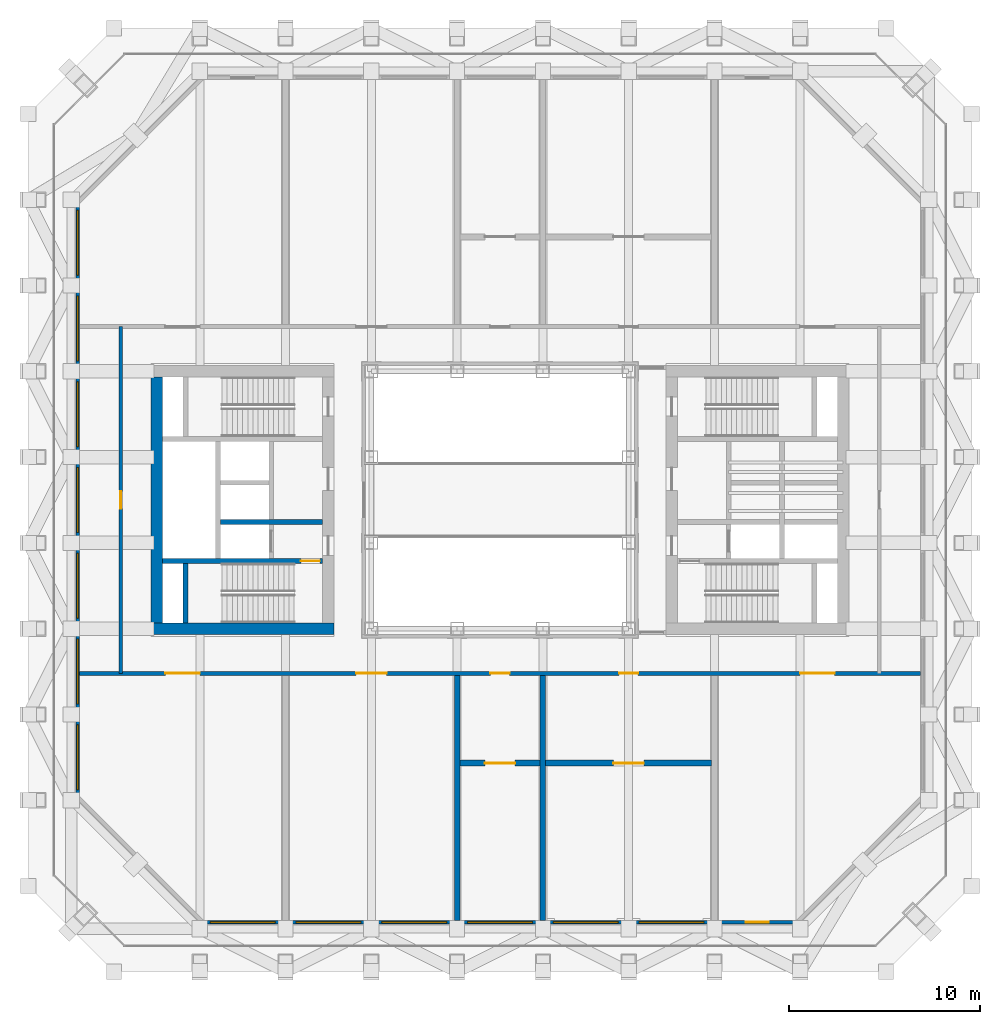
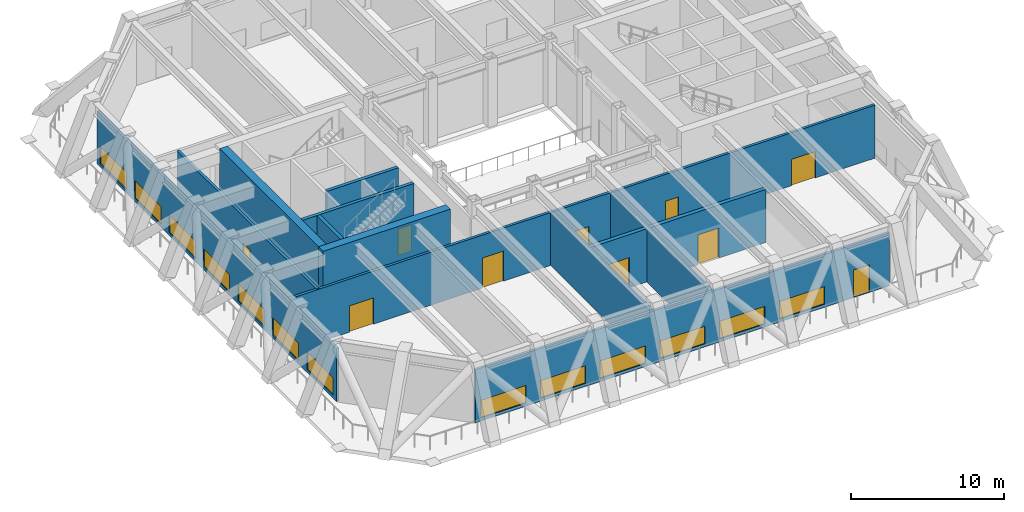
# One storey, part 3 of 9: 13 walls, 13 windows, 10 doors, 23 openings.
"""IFC4 building model written with IfcOpenShell, lengths in metres."""

from ifc_helpers import new_model, si_unit, direction, frame, frame_2d, origin, place, context, subcontext, project, spatial, rectangle, extrude, material, layer, layer_set, type_object, element, fill, save


model = new_model("IFC4")

# Units and contexts
model_context = context("Model", 3, precision=1e-05, world=origin(), true_north=direction((0.0, 1.0)))
body_context = subcontext(model_context, "Body", "Model", "MODEL_VIEW")
ifc_project = project(units=[si_unit("LENGTHUNIT", "METRE"), si_unit("AREAUNIT", "SQUARE_METRE"), si_unit("VOLUMEUNIT", "CUBIC_METRE"), si_unit("PLANEANGLEUNIT", "RADIAN"), si_unit("MASSUNIT", "GRAM", prefix="KILO")], contexts=[model_context])

# Site, building, storey
site_placement = place(None, origin())
site = spatial("IfcSite", under=ifc_project, at=site_placement, CompositionType="ELEMENT")
building_placement = place(site_placement, origin())
building = spatial("IfcBuilding", under=site, at=building_placement, Name="Msasa Ring Tower", CompositionType="ELEMENT")
storey_placement = place(building_placement, frame((0.0, 0.0, 107.0)))
storey = spatial("IfcBuildingStorey", under=building, at=storey_placement, Name="L28", CompositionType="ELEMENT", Elevation=107.0)

# Walls
ifc_material_1 = material(Name="Concrete C60/75", Category="concrete")
ifc_layer_1 = layer(ifc_material_1, 0.60009765625)
ifc_layer_set_1 = layer_set([ifc_layer_1], Name="CW2 CORE WALL 600")
wall_type_1 = type_object("IfcWallType", Name="CW2 CORE WALL 600", PredefinedType="SHEAR", material=ifc_layer_set_1)
wall_1_placement = place(storey_placement, frame((-8.699951171875, -6.75, 0.0), z_axis=(0.0, 0.0, 1.0), x_axis=(-1.0, 0.0, 0.0)))
element("IfcWall", 1, at=wall_1_placement, inside=storey, type_object=wall_type_1, Name="W core wall S L28", PredefinedType="SHEAR", context=body_context, shape_type="SweptSolid", body=[
    extrude(rectangle(XDim=9.60009765625, YDim=0.60009765625, at=frame_2d((4.800048828125, 0.0))), origin(), (0.0, 0.0, 1.0), 5.39990234375),
])
wall_2_placement = place(storey_placement, frame((-18.0, -6.449951171875, 0.0), z_axis=(0.0, 0.0, 1.0), x_axis=(0.0, 1.0, 0.0)))
element("IfcWall", 2, at=wall_2_placement, inside=storey, type_object=wall_type_1, Name="W core wall E L28", PredefinedType="SHEAR", context=body_context, shape_type="SweptSolid", body=[
    extrude(rectangle(XDim=12.89990234375, YDim=0.60009765625, at=frame_2d((6.449951171875, 0.0))), origin(), (0.0, 0.0, 1.0), 5.39990234375),
])

# Wall, opening, door
ifc_material_2 = material(Name="Concrete C60/75", Category="concrete")
ifc_layer_2 = layer(ifc_material_2, 0.25)
ifc_layer_set_2 = layer_set([ifc_layer_2], Name="CW4 CORE INNER WALL 250")
wall_type_2 = type_object("IfcWallType", Name="CW4 CORE INNER WALL 250", PredefinedType="SHEAR", material=ifc_layer_set_2)
wall_3_placement = place(storey_placement, frame((-9.300048828125, -3.199951171875, 0.0), z_axis=(0.0, 0.0, 1.0), x_axis=(-1.0, 0.0, 0.0)))
wall_3 = element("IfcWall", 3, at=wall_3_placement, inside=storey, type_object=wall_type_2, Name="W core wall STAIRA L28", PredefinedType="SHEAR", context=body_context, shape_type="SweptSolid", body=[
    extrude(rectangle(XDim=8.39990234375, YDim=0.25, at=frame_2d((4.199951171875, 0.0))), origin(), (0.0, 0.0, 1.0), 5.39990234375),
])
opening_1_placement = place(wall_3_placement, frame((0.14990234375, 0.0, 0.0)))
opening_1 = element("IfcOpeningElement", 4, at=opening_1_placement, cuts=wall_3, Name="Opening L28-021", PredefinedType="OPENING", context=body_context, shape_type="SweptSolid", body=[
    extrude(rectangle(XDim=1.0, YDim=2.10009765625, at=frame_2d((0.5, 1.050048828125))), frame((0.0, 0.135009765625, 0.0), z_axis=(0.0, -1.0, 0.0), x_axis=(1.0, 0.0, 0.0)), (0.0, 0.0, 1.0), 0.27001953125),
])
ifc_material_3 = material(Name="Timber door leaf in a steel frame", Category="steel")
door_type_1 = type_object("IfcDoorType", Name="D6 STAIR DOOR 1000x2100", OperationType="SINGLE_SWING_LEFT", PredefinedType="DOOR", material=ifc_material_3)
door_1_placement = place(opening_1_placement, origin())
door_1 = element("IfcDoor", 5, at=door_1_placement, inside=storey, type_object=door_type_1, Name="Door L28-WSTA", OperationType="SINGLE_SWING_LEFT", OverallHeight=2.10009765625, OverallWidth=1.0, PredefinedType="DOOR", context=body_context, shape_type="SweptSolid", body=[
    extrude(rectangle(XDim=1.0, YDim=2.10009765625, at=frame_2d((0.5, 1.050048828125))), frame((0.0, 0.02490234375, 0.0), z_axis=(0.0, -1.0, 0.0), x_axis=(1.0, 0.0, 0.0)), (0.0, 0.0, 1.0), 0.050048828125),
])
fill(opening_1, door_1)

# Walls
wall_4_placement = place(storey_placement, frame((-16.5, -6.449951171875, 0.0), z_axis=(0.0, 0.0, 1.0), x_axis=(0.0, 1.0, 0.0)))
element("IfcWall", 6, at=wall_4_placement, inside=storey, type_object=wall_type_2, Name="W core wall RISERA L28", PredefinedType="SHEAR", context=body_context, shape_type="SweptSolid", body=[
    extrude(rectangle(XDim=3.125, YDim=0.25, at=frame_2d((1.5625, 0.0))), origin(), (0.0, 0.0, 1.0), 5.39990234375),
])
wall_5_placement = place(storey_placement, frame((-9.300048828125, -1.14990234375, 0.0), z_axis=(0.0, 0.0, 1.0), x_axis=(-1.0, 0.0, 0.0)))
element("IfcWall", 7, at=wall_5_placement, inside=storey, type_object=wall_type_2, Name="W core wall FFL L28", PredefinedType="SHEAR", context=body_context, shape_type="SweptSolid", body=[
    extrude(rectangle(XDim=5.375, YDim=0.25, at=frame_2d((2.6875, 0.0))), origin(), (0.0, 0.0, 1.0), 5.39990234375),
])

# Wall, openings, door, windows
ifc_material_4 = material(Name="Terracotta rainscreen on blockwork", Category="masonry")
ifc_layer_3 = layer(ifc_material_4, 0.199951171875)
ifc_layer_set_3 = layer_set([ifc_layer_3], Name="FW3 PLANT FLOOR WALL 200")
wall_type_3 = type_object("IfcWallType", Name="FW3 PLANT FLOOR WALL 200", PredefinedType="SOLIDWALL", material=ifc_layer_set_3)
wall_6_placement = place(storey_placement, frame((-15.60498046875, -22.14990234375, 0.0), z_axis=(0.0, 0.0, 1.0), x_axis=(1.0, 0.0, 0.0)))
wall_6 = element("IfcWall", 8, at=wall_6_placement, inside=storey, type_object=wall_type_3, Name="Plant floor wall S L28", PredefinedType="SOLIDWALL", context=body_context, shape_type="SweptSolid", body=[
    extrude(rectangle(XDim=31.2099609375, YDim=0.199951171875, at=frame_2d((15.60498046875, 0.0))), origin(), (0.0, 0.0, 1.0), 4.223388671875),
])
opening_2_placement = place(wall_6_placement, frame((0.405029296875, 0.0, 0.25)))
opening_2 = element("IfcOpeningElement", 9, at=opening_2_placement, cuts=wall_6, Name="Opening LV1", PredefinedType="OPENING", context=body_context, shape_type="SweptSolid", body=[
    extrude(rectangle(XDim=3.39990234375, YDim=1.39990234375, at=frame_2d((1.699951171875, 0.699951171875))), frame((0.0, 0.10986328125, 0.0), z_axis=(0.0, -1.0, 0.0), x_axis=(1.0, 0.0, 0.0)), (0.0, 0.0, 1.0), 0.219970703125),
])
opening_3_placement = place(wall_6_placement, frame((4.905029296875, 0.0, 0.25)))
opening_3 = element("IfcOpeningElement", 10, at=opening_3_placement, cuts=wall_6, Name="Opening LV1", PredefinedType="OPENING", context=body_context, shape_type="SweptSolid", body=[
    extrude(rectangle(XDim=3.39990234375, YDim=1.39990234375, at=frame_2d((1.699951171875, 0.699951171875))), frame((0.0, 0.10986328125, 0.0), z_axis=(0.0, -1.0, 0.0), x_axis=(1.0, 0.0, 0.0)), (0.0, 0.0, 1.0), 0.219970703125),
])
opening_4_placement = place(wall_6_placement, frame((9.405029296875, 0.0, 0.25)))
opening_4 = element("IfcOpeningElement", 11, at=opening_4_placement, cuts=wall_6, Name="Opening LV1", PredefinedType="OPENING", context=body_context, shape_type="SweptSolid", body=[
    extrude(rectangle(XDim=3.39990234375, YDim=1.39990234375, at=frame_2d((1.699951171875, 0.699951171875))), frame((0.0, 0.10986328125, 0.0), z_axis=(0.0, -1.0, 0.0), x_axis=(1.0, 0.0, 0.0)), (0.0, 0.0, 1.0), 0.219970703125),
])
opening_5_placement = place(wall_6_placement, frame((13.905029296875, 0.0, 0.25)))
opening_5 = element("IfcOpeningElement", 12, at=opening_5_placement, cuts=wall_6, Name="Opening LV1", PredefinedType="OPENING", context=body_context, shape_type="SweptSolid", body=[
    extrude(rectangle(XDim=3.39990234375, YDim=1.39990234375, at=frame_2d((1.699951171875, 0.699951171875))), frame((0.0, 0.10986328125, 0.0), z_axis=(0.0, -1.0, 0.0), x_axis=(1.0, 0.0, 0.0)), (0.0, 0.0, 1.0), 0.219970703125),
])
opening_6_placement = place(wall_6_placement, frame((18.405029296875, 0.0, 0.25)))
opening_6 = element("IfcOpeningElement", 13, at=opening_6_placement, cuts=wall_6, Name="Opening LV1", PredefinedType="OPENING", context=body_context, shape_type="SweptSolid", body=[
    extrude(rectangle(XDim=3.39990234375, YDim=1.39990234375, at=frame_2d((1.699951171875, 0.699951171875))), frame((0.0, 0.10986328125, 0.0), z_axis=(0.0, -1.0, 0.0), x_axis=(1.0, 0.0, 0.0)), (0.0, 0.0, 1.0), 0.219970703125),
])
opening_7_placement = place(wall_6_placement, frame((22.905029296875, 0.0, 0.25)))
opening_7 = element("IfcOpeningElement", 14, at=opening_7_placement, cuts=wall_6, Name="Opening LV1", PredefinedType="OPENING", context=body_context, shape_type="SweptSolid", body=[
    extrude(rectangle(XDim=3.39990234375, YDim=1.39990234375, at=frame_2d((1.699951171875, 0.699951171875))), frame((0.0, 0.10986328125, 0.0), z_axis=(0.0, -1.0, 0.0), x_axis=(1.0, 0.0, 0.0)), (0.0, 0.0, 1.0), 0.219970703125),
])
opening_8_placement = place(wall_6_placement, frame((28.5048828125, 0.0, 0.0)))
opening_8 = element("IfcOpeningElement", 15, at=opening_8_placement, cuts=wall_6, Name="Opening L28-031", PredefinedType="OPENING", context=body_context, shape_type="SweptSolid", body=[
    extrude(rectangle(XDim=1.199951171875, YDim=2.199951171875, at=frame_2d((0.60009765625, 1.10009765625))), frame((0.0, 0.10986328125, 0.0), z_axis=(0.0, -1.0, 0.0), x_axis=(1.0, 0.0, 0.0)), (0.0, 0.0, 1.0), 0.219970703125),
])
ifc_material_5 = material(Name="Aluminium frame with clear glass", Category="aluminium")
door_type_2 = type_object("IfcDoorType", Name="ED2 REFUGE DOOR 1200x2200", OperationType="SINGLE_SWING_LEFT", PredefinedType="DOOR", material=ifc_material_5)
door_2_placement = place(opening_8_placement, origin())
door_2 = element("IfcDoor", 16, at=door_2_placement, inside=storey, type_object=door_type_2, Name="Refuge terrace door S L28", OperationType="SINGLE_SWING_RIGHT", OverallHeight=2.199951171875, OverallWidth=1.199951171875, PredefinedType="DOOR", context=body_context, shape_type="SweptSolid", body=[
    extrude(rectangle(XDim=1.199951171875, YDim=2.199951171875, at=frame_2d((0.60009765625, 1.10009765625))), frame((0.0, 0.02490234375, 0.0), z_axis=(0.0, -1.0, 0.0), x_axis=(1.0, 0.0, 0.0)), (0.0, 0.0, 1.0), 0.050048828125),
])
fill(opening_8, door_2)
ifc_material_6 = material(Name="Aluminium weather louvre", Category="aluminium")
window_type = type_object("IfcWindowType", Name="LV1 PLANT LOUVRE 3400x1400", PartitioningType="SINGLE_PANEL", PredefinedType="USERDEFINED", material=ifc_material_6)
window_1_placement = place(opening_2_placement, origin())
window_1 = element("IfcWindow", 17, at=window_1_placement, inside=storey, type_object=window_type, Name="Plant louvre S L28 00", ObjectType="LOUVRE", OverallHeight=1.39990234375, OverallWidth=3.39990234375, PartitioningType="SINGLE_PANEL", PredefinedType="USERDEFINED", context=body_context, shape_type="SweptSolid", body=[
    extrude(rectangle(XDim=3.39990234375, YDim=1.39990234375, at=frame_2d((1.699951171875, 0.699951171875))), frame((0.0, 0.030029296875, 0.0), z_axis=(0.0, -1.0, 0.0), x_axis=(1.0, 0.0, 0.0)), (0.0, 0.0, 1.0), 0.06005859375),
])
fill(opening_2, window_1)
window_2_placement = place(opening_3_placement, origin())
window_2 = element("IfcWindow", 18, at=window_2_placement, inside=storey, type_object=window_type, Name="Plant louvre S L28 01", ObjectType="LOUVRE", OverallHeight=1.39990234375, OverallWidth=3.39990234375, PartitioningType="SINGLE_PANEL", PredefinedType="USERDEFINED", context=body_context, shape_type="SweptSolid", body=[
    extrude(rectangle(XDim=3.39990234375, YDim=1.39990234375, at=frame_2d((1.699951171875, 0.699951171875))), frame((0.0, 0.030029296875, 0.0), z_axis=(0.0, -1.0, 0.0), x_axis=(1.0, 0.0, 0.0)), (0.0, 0.0, 1.0), 0.06005859375),
])
fill(opening_3, window_2)
window_3_placement = place(opening_4_placement, origin())
window_3 = element("IfcWindow", 19, at=window_3_placement, inside=storey, type_object=window_type, Name="Plant louvre S L28 02", ObjectType="LOUVRE", OverallHeight=1.39990234375, OverallWidth=3.39990234375, PartitioningType="SINGLE_PANEL", PredefinedType="USERDEFINED", context=body_context, shape_type="SweptSolid", body=[
    extrude(rectangle(XDim=3.39990234375, YDim=1.39990234375, at=frame_2d((1.699951171875, 0.699951171875))), frame((0.0, 0.030029296875, 0.0), z_axis=(0.0, -1.0, 0.0), x_axis=(1.0, 0.0, 0.0)), (0.0, 0.0, 1.0), 0.06005859375),
])
fill(opening_4, window_3)
window_4_placement = place(opening_5_placement, origin())
window_4 = element("IfcWindow", 20, at=window_4_placement, inside=storey, type_object=window_type, Name="Plant louvre S L28 03", ObjectType="LOUVRE", OverallHeight=1.39990234375, OverallWidth=3.39990234375, PartitioningType="SINGLE_PANEL", PredefinedType="USERDEFINED", context=body_context, shape_type="SweptSolid", body=[
    extrude(rectangle(XDim=3.39990234375, YDim=1.39990234375, at=frame_2d((1.699951171875, 0.699951171875))), frame((0.0, 0.030029296875, 0.0), z_axis=(0.0, -1.0, 0.0), x_axis=(1.0, 0.0, 0.0)), (0.0, 0.0, 1.0), 0.06005859375),
])
fill(opening_5, window_4)
window_5_placement = place(opening_6_placement, origin())
window_5 = element("IfcWindow", 21, at=window_5_placement, inside=storey, type_object=window_type, Name="Plant louvre S L28 04", ObjectType="LOUVRE", OverallHeight=1.39990234375, OverallWidth=3.39990234375, PartitioningType="SINGLE_PANEL", PredefinedType="USERDEFINED", context=body_context, shape_type="SweptSolid", body=[
    extrude(rectangle(XDim=3.39990234375, YDim=1.39990234375, at=frame_2d((1.699951171875, 0.699951171875))), frame((0.0, 0.030029296875, 0.0), z_axis=(0.0, -1.0, 0.0), x_axis=(1.0, 0.0, 0.0)), (0.0, 0.0, 1.0), 0.06005859375),
])
fill(opening_6, window_5)
window_6_placement = place(opening_7_placement, origin())
window_6 = element("IfcWindow", 22, at=window_6_placement, inside=storey, type_object=window_type, Name="Plant louvre S L28 05", ObjectType="LOUVRE", OverallHeight=1.39990234375, OverallWidth=3.39990234375, PartitioningType="SINGLE_PANEL", PredefinedType="USERDEFINED", context=body_context, shape_type="SweptSolid", body=[
    extrude(rectangle(XDim=3.39990234375, YDim=1.39990234375, at=frame_2d((1.699951171875, 0.699951171875))), frame((0.0, 0.030029296875, 0.0), z_axis=(0.0, -1.0, 0.0), x_axis=(1.0, 0.0, 0.0)), (0.0, 0.0, 1.0), 0.06005859375),
])
fill(opening_7, window_6)

# Wall, openings, windows
wall_7_placement = place(storey_placement, frame((-22.14990234375, -15.60498046875, 0.0), z_axis=(0.0, 0.0, 1.0), x_axis=(0.0, 1.0, 0.0)))
wall_7 = element("IfcWall", 23, at=wall_7_placement, inside=storey, type_object=wall_type_3, Name="Plant floor wall W L28", PredefinedType="SOLIDWALL", context=body_context, shape_type="SweptSolid", body=[
    extrude(rectangle(XDim=31.2099609375, YDim=0.199951171875, at=frame_2d((15.60498046875, 0.0))), origin(), (0.0, 0.0, 1.0), 4.223388671875),
])
opening_9_placement = place(wall_7_placement, frame((0.405029296875, 0.0, 0.25)))
opening_9 = element("IfcOpeningElement", 24, at=opening_9_placement, cuts=wall_7, Name="Opening LV1", PredefinedType="OPENING", context=body_context, shape_type="SweptSolid", body=[
    extrude(rectangle(XDim=3.39990234375, YDim=1.39990234375, at=frame_2d((1.699951171875, 0.699951171875))), frame((0.0, 0.10986328125, 0.0), z_axis=(0.0, -1.0, 0.0), x_axis=(1.0, 0.0, 0.0)), (0.0, 0.0, 1.0), 0.219970703125),
])
opening_10_placement = place(wall_7_placement, frame((4.905029296875, 0.0, 0.25)))
opening_10 = element("IfcOpeningElement", 25, at=opening_10_placement, cuts=wall_7, Name="Opening LV1", PredefinedType="OPENING", context=body_context, shape_type="SweptSolid", body=[
    extrude(rectangle(XDim=3.39990234375, YDim=1.39990234375, at=frame_2d((1.699951171875, 0.699951171875))), frame((0.0, 0.10986328125, 0.0), z_axis=(0.0, -1.0, 0.0), x_axis=(1.0, 0.0, 0.0)), (0.0, 0.0, 1.0), 0.219970703125),
])
opening_11_placement = place(wall_7_placement, frame((9.405029296875, 0.0, 0.25)))
opening_11 = element("IfcOpeningElement", 26, at=opening_11_placement, cuts=wall_7, Name="Opening LV1", PredefinedType="OPENING", context=body_context, shape_type="SweptSolid", body=[
    extrude(rectangle(XDim=3.39990234375, YDim=1.39990234375, at=frame_2d((1.699951171875, 0.699951171875))), frame((0.0, 0.10986328125, 0.0), z_axis=(0.0, -1.0, 0.0), x_axis=(1.0, 0.0, 0.0)), (0.0, 0.0, 1.0), 0.219970703125),
])
opening_12_placement = place(wall_7_placement, frame((13.905029296875, 0.0, 0.25)))
opening_12 = element("IfcOpeningElement", 27, at=opening_12_placement, cuts=wall_7, Name="Opening LV1", PredefinedType="OPENING", context=body_context, shape_type="SweptSolid", body=[
    extrude(rectangle(XDim=3.39990234375, YDim=1.39990234375, at=frame_2d((1.699951171875, 0.699951171875))), frame((0.0, 0.10986328125, 0.0), z_axis=(0.0, -1.0, 0.0), x_axis=(1.0, 0.0, 0.0)), (0.0, 0.0, 1.0), 0.219970703125),
])
opening_13_placement = place(wall_7_placement, frame((18.405029296875, 0.0, 0.25)))
opening_13 = element("IfcOpeningElement", 28, at=opening_13_placement, cuts=wall_7, Name="Opening LV1", PredefinedType="OPENING", context=body_context, shape_type="SweptSolid", body=[
    extrude(rectangle(XDim=3.39990234375, YDim=1.39990234375, at=frame_2d((1.699951171875, 0.699951171875))), frame((0.0, 0.10986328125, 0.0), z_axis=(0.0, -1.0, 0.0), x_axis=(1.0, 0.0, 0.0)), (0.0, 0.0, 1.0), 0.219970703125),
])
opening_14_placement = place(wall_7_placement, frame((22.905029296875, 0.0, 0.25)))
opening_14 = element("IfcOpeningElement", 29, at=opening_14_placement, cuts=wall_7, Name="Opening LV1", PredefinedType="OPENING", context=body_context, shape_type="SweptSolid", body=[
    extrude(rectangle(XDim=3.39990234375, YDim=1.39990234375, at=frame_2d((1.699951171875, 0.699951171875))), frame((0.0, 0.10986328125, 0.0), z_axis=(0.0, -1.0, 0.0), x_axis=(1.0, 0.0, 0.0)), (0.0, 0.0, 1.0), 0.219970703125),
])
opening_15_placement = place(wall_7_placement, frame((27.405029296875, 0.0, 0.25)))
opening_15 = element("IfcOpeningElement", 30, at=opening_15_placement, cuts=wall_7, Name="Opening LV1", PredefinedType="OPENING", context=body_context, shape_type="SweptSolid", body=[
    extrude(rectangle(XDim=3.39990234375, YDim=1.39990234375, at=frame_2d((1.699951171875, 0.699951171875))), frame((0.0, 0.10986328125, 0.0), z_axis=(0.0, -1.0, 0.0), x_axis=(1.0, 0.0, 0.0)), (0.0, 0.0, 1.0), 0.219970703125),
])
window_7_placement = place(opening_9_placement, origin())
window_7 = element("IfcWindow", 31, at=window_7_placement, inside=storey, type_object=window_type, Name="Plant louvre W L28 00", ObjectType="LOUVRE", OverallHeight=1.39990234375, OverallWidth=3.39990234375, PartitioningType="SINGLE_PANEL", PredefinedType="USERDEFINED", context=body_context, shape_type="SweptSolid", body=[
    extrude(rectangle(XDim=3.39990234375, YDim=1.39990234375, at=frame_2d((1.699951171875, 0.699951171875))), frame((0.0, 0.030029296875, 0.0), z_axis=(0.0, -1.0, 0.0), x_axis=(1.0, 0.0, 0.0)), (0.0, 0.0, 1.0), 0.06005859375),
])
fill(opening_9, window_7)
window_8_placement = place(opening_10_placement, origin())
window_8 = element("IfcWindow", 32, at=window_8_placement, inside=storey, type_object=window_type, Name="Plant louvre W L28 01", ObjectType="LOUVRE", OverallHeight=1.39990234375, OverallWidth=3.39990234375, PartitioningType="SINGLE_PANEL", PredefinedType="USERDEFINED", context=body_context, shape_type="SweptSolid", body=[
    extrude(rectangle(XDim=3.39990234375, YDim=1.39990234375, at=frame_2d((1.699951171875, 0.699951171875))), frame((0.0, 0.030029296875, 0.0), z_axis=(0.0, -1.0, 0.0), x_axis=(1.0, 0.0, 0.0)), (0.0, 0.0, 1.0), 0.06005859375),
])
fill(opening_10, window_8)
window_9_placement = place(opening_11_placement, origin())
window_9 = element("IfcWindow", 33, at=window_9_placement, inside=storey, type_object=window_type, Name="Plant louvre W L28 02", ObjectType="LOUVRE", OverallHeight=1.39990234375, OverallWidth=3.39990234375, PartitioningType="SINGLE_PANEL", PredefinedType="USERDEFINED", context=body_context, shape_type="SweptSolid", body=[
    extrude(rectangle(XDim=3.39990234375, YDim=1.39990234375, at=frame_2d((1.699951171875, 0.699951171875))), frame((0.0, 0.030029296875, 0.0), z_axis=(0.0, -1.0, 0.0), x_axis=(1.0, 0.0, 0.0)), (0.0, 0.0, 1.0), 0.06005859375),
])
fill(opening_11, window_9)
window_10_placement = place(opening_12_placement, origin())
window_10 = element("IfcWindow", 34, at=window_10_placement, inside=storey, type_object=window_type, Name="Plant louvre W L28 03", ObjectType="LOUVRE", OverallHeight=1.39990234375, OverallWidth=3.39990234375, PartitioningType="SINGLE_PANEL", PredefinedType="USERDEFINED", context=body_context, shape_type="SweptSolid", body=[
    extrude(rectangle(XDim=3.39990234375, YDim=1.39990234375, at=frame_2d((1.699951171875, 0.699951171875))), frame((0.0, 0.030029296875, 0.0), z_axis=(0.0, -1.0, 0.0), x_axis=(1.0, 0.0, 0.0)), (0.0, 0.0, 1.0), 0.06005859375),
])
fill(opening_12, window_10)
window_11_placement = place(opening_13_placement, origin())
window_11 = element("IfcWindow", 35, at=window_11_placement, inside=storey, type_object=window_type, Name="Plant louvre W L28 04", ObjectType="LOUVRE", OverallHeight=1.39990234375, OverallWidth=3.39990234375, PartitioningType="SINGLE_PANEL", PredefinedType="USERDEFINED", context=body_context, shape_type="SweptSolid", body=[
    extrude(rectangle(XDim=3.39990234375, YDim=1.39990234375, at=frame_2d((1.699951171875, 0.699951171875))), frame((0.0, 0.030029296875, 0.0), z_axis=(0.0, -1.0, 0.0), x_axis=(1.0, 0.0, 0.0)), (0.0, 0.0, 1.0), 0.06005859375),
])
fill(opening_13, window_11)
window_12_placement = place(opening_14_placement, origin())
window_12 = element("IfcWindow", 36, at=window_12_placement, inside=storey, type_object=window_type, Name="Plant louvre W L28 05", ObjectType="LOUVRE", OverallHeight=1.39990234375, OverallWidth=3.39990234375, PartitioningType="SINGLE_PANEL", PredefinedType="USERDEFINED", context=body_context, shape_type="SweptSolid", body=[
    extrude(rectangle(XDim=3.39990234375, YDim=1.39990234375, at=frame_2d((1.699951171875, 0.699951171875))), frame((0.0, 0.030029296875, 0.0), z_axis=(0.0, -1.0, 0.0), x_axis=(1.0, 0.0, 0.0)), (0.0, 0.0, 1.0), 0.06005859375),
])
fill(opening_14, window_12)
window_13_placement = place(opening_15_placement, origin())
window_13 = element("IfcWindow", 37, at=window_13_placement, inside=storey, type_object=window_type, Name="Plant louvre W L28 06", ObjectType="LOUVRE", OverallHeight=1.39990234375, OverallWidth=3.39990234375, PartitioningType="SINGLE_PANEL", PredefinedType="USERDEFINED", context=body_context, shape_type="SweptSolid", body=[
    extrude(rectangle(XDim=3.39990234375, YDim=1.39990234375, at=frame_2d((1.699951171875, 0.699951171875))), frame((0.0, 0.030029296875, 0.0), z_axis=(0.0, -1.0, 0.0), x_axis=(1.0, 0.0, 0.0)), (0.0, 0.0, 1.0), 0.06005859375),
])
fill(opening_15, window_13)

# Wall, openings, doors
ifc_material_7 = material(Name="Concrete blockwork", Category="masonry")
ifc_layer_4 = layer(ifc_material_7, 0.199951171875)
ifc_layer_set_4 = layer_set([ifc_layer_4], Name="PT1 CORRIDOR WALL 200")
wall_type_4 = type_object("IfcWallType", Name="PT1 CORRIDOR WALL 200", PredefinedType="PARTITIONING", material=ifc_layer_set_4)
wall_8_placement = place(storey_placement, frame((-22.050048828125, -9.10009765625, 0.0), z_axis=(0.0, 0.0, 1.0), x_axis=(1.0, 0.0, 0.0)))
wall_8 = element("IfcWall", 38, at=wall_8_placement, inside=storey, type_object=wall_type_4, Name="Corridor wall L28-CORRS0", PredefinedType="PARTITIONING", context=body_context, shape_type="SweptSolid", body=[
    extrude(rectangle(XDim=44.10009765625, YDim=0.199951171875, at=frame_2d((22.050048828125, 0.0))), origin(), (0.0, 0.0, 1.0), 4.22900390625),
])
opening_16_placement = place(wall_8_placement, frame((4.5, 0.0, 0.0)))
opening_16 = element("IfcOpeningElement", 39, at=opening_16_placement, cuts=wall_8, Name="Opening L28-024", PredefinedType="OPENING", context=body_context, shape_type="SweptSolid", body=[
    extrude(rectangle(XDim=1.800048828125, YDim=2.10009765625, at=frame_2d((0.89990234375, 1.050048828125))), frame((0.0, 0.10986328125, 0.0), z_axis=(0.0, -1.0, 0.0), x_axis=(1.0, 0.0, 0.0)), (0.0, 0.0, 1.0), 0.219970703125),
])
opening_17_placement = place(wall_8_placement, frame((14.5, 0.0, 0.0)))
opening_17 = element("IfcOpeningElement", 40, at=opening_17_placement, cuts=wall_8, Name="Opening L28-025", PredefinedType="OPENING", context=body_context, shape_type="SweptSolid", body=[
    extrude(rectangle(XDim=1.60009765625, YDim=2.39990234375, at=frame_2d((0.800048828125, 1.199951171875))), frame((0.0, 0.10986328125, 0.0), z_axis=(0.0, -1.0, 0.0), x_axis=(1.0, 0.0, 0.0)), (0.0, 0.0, 1.0), 0.219970703125),
])
opening_18_placement = place(wall_8_placement, frame((21.550048828125, 0.0, 0.0)))
opening_18 = element("IfcOpeningElement", 41, at=opening_18_placement, cuts=wall_8, Name="Opening L28-026", PredefinedType="OPENING", context=body_context, shape_type="SweptSolid", body=[
    extrude(rectangle(XDim=1.0, YDim=2.10009765625, at=frame_2d((0.5, 1.050048828125))), frame((0.0, 0.10986328125, 0.0), z_axis=(0.0, -1.0, 0.0), x_axis=(1.0, 0.0, 0.0)), (0.0, 0.0, 1.0), 0.219970703125),
])
opening_19_placement = place(wall_8_placement, frame((28.300048828125, 0.0, 0.0)))
opening_19 = element("IfcOpeningElement", 42, at=opening_19_placement, cuts=wall_8, Name="Opening L28-027", PredefinedType="OPENING", context=body_context, shape_type="SweptSolid", body=[
    extrude(rectangle(XDim=1.0, YDim=2.10009765625, at=frame_2d((0.5, 1.050048828125))), frame((0.0, 0.10986328125, 0.0), z_axis=(0.0, -1.0, 0.0), x_axis=(1.0, 0.0, 0.0)), (0.0, 0.0, 1.0), 0.219970703125),
])
opening_20_placement = place(wall_8_placement, frame((37.800048828125, 0.0, 0.0)))
opening_20 = element("IfcOpeningElement", 43, at=opening_20_placement, cuts=wall_8, Name="Opening L28-028", PredefinedType="OPENING", context=body_context, shape_type="SweptSolid", body=[
    extrude(rectangle(XDim=1.800048828125, YDim=2.10009765625, at=frame_2d((0.89990234375, 1.050048828125))), frame((0.0, 0.10986328125, 0.0), z_axis=(0.0, -1.0, 0.0), x_axis=(1.0, 0.0, 0.0)), (0.0, 0.0, 1.0), 0.219970703125),
])
ifc_material_8 = material(Name="Timber door leaf in a steel frame", Category="steel")
door_type_3 = type_object("IfcDoorType", Name="D13 PLANT ROOM DOOR 1000x2100", OperationType="SINGLE_SWING_LEFT", PredefinedType="DOOR", material=ifc_material_8)
door_3_placement = place(opening_18_placement, origin())
door_3 = element("IfcDoor", 44, at=door_3_placement, inside=storey, type_object=door_type_3, Name="Door L28-PLS2A", OperationType="SINGLE_SWING_LEFT", OverallHeight=2.10009765625, OverallWidth=1.0, PredefinedType="DOOR", context=body_context, shape_type="SweptSolid", body=[
    extrude(rectangle(XDim=1.0, YDim=2.10009765625, at=frame_2d((0.5, 1.050048828125))), frame((0.0, 0.02490234375, 0.0), z_axis=(0.0, -1.0, 0.0), x_axis=(1.0, 0.0, 0.0)), (0.0, 0.0, 1.0), 0.050048828125),
])
fill(opening_18, door_3)
door_4_placement = place(opening_19_placement, origin())
door_4 = element("IfcDoor", 45, at=door_4_placement, inside=storey, type_object=door_type_3, Name="Door L28-PLS3A", OperationType="SINGLE_SWING_RIGHT", OverallHeight=2.10009765625, OverallWidth=1.0, PredefinedType="DOOR", context=body_context, shape_type="SweptSolid", body=[
    extrude(rectangle(XDim=1.0, YDim=2.10009765625, at=frame_2d((0.5, 1.050048828125))), frame((0.0, 0.02490234375, 0.0), z_axis=(0.0, -1.0, 0.0), x_axis=(1.0, 0.0, 0.0)), (0.0, 0.0, 1.0), 0.050048828125),
])
fill(opening_19, door_4)
ifc_material_9 = material(Name="Timber door leaf in a steel frame", Category="steel")
door_type_4 = type_object("IfcDoorType", Name="D20 PLANT ROOM PAIR OF DOORS 1600x2400", OperationType="SINGLE_SWING_LEFT", PredefinedType="DOOR", material=ifc_material_9)
door_5_placement = place(opening_17_placement, origin())
door_5 = element("IfcDoor", 46, at=door_5_placement, inside=storey, type_object=door_type_4, Name="Door L28-PLS1", OperationType="SINGLE_SWING_LEFT", OverallHeight=2.39990234375, OverallWidth=1.60009765625, PredefinedType="DOOR", context=body_context, shape_type="SweptSolid", body=[
    extrude(rectangle(XDim=1.60009765625, YDim=2.39990234375, at=frame_2d((0.800048828125, 1.199951171875))), frame((0.0, 0.02490234375, 0.0), z_axis=(0.0, -1.0, 0.0), x_axis=(1.0, 0.0, 0.0)), (0.0, 0.0, 1.0), 0.050048828125),
])
fill(opening_17, door_5)
ifc_material_10 = material(Name="Timber door leaf in a steel frame", Category="steel")
door_type_5 = type_object("IfcDoorType", Name="D51 REFUGE AREA PAIR OF DOORS 1800x2100", OperationType="SINGLE_SWING_LEFT", PredefinedType="DOOR", material=ifc_material_10)
door_6_placement = place(opening_16_placement, origin())
door_6 = element("IfcDoor", 47, at=door_6_placement, inside=storey, type_object=door_type_5, Name="Door L28-PLS0", OperationType="SINGLE_SWING_LEFT", OverallHeight=2.10009765625, OverallWidth=1.800048828125, PredefinedType="DOOR", context=body_context, shape_type="SweptSolid", body=[
    extrude(rectangle(XDim=1.800048828125, YDim=2.10009765625, at=frame_2d((0.89990234375, 1.050048828125))), frame((0.0, 0.02490234375, 0.0), z_axis=(0.0, -1.0, 0.0), x_axis=(1.0, 0.0, 0.0)), (0.0, 0.0, 1.0), 0.050048828125),
])
fill(opening_16, door_6)
door_7_placement = place(opening_20_placement, origin())
door_7 = element("IfcDoor", 48, at=door_7_placement, inside=storey, type_object=door_type_5, Name="Door L28-PLS4", OperationType="SINGLE_SWING_RIGHT", OverallHeight=2.10009765625, OverallWidth=1.800048828125, PredefinedType="DOOR", context=body_context, shape_type="SweptSolid", body=[
    extrude(rectangle(XDim=1.800048828125, YDim=2.10009765625, at=frame_2d((0.89990234375, 1.050048828125))), frame((0.0, 0.02490234375, 0.0), z_axis=(0.0, -1.0, 0.0), x_axis=(1.0, 0.0, 0.0)), (0.0, 0.0, 1.0), 0.050048828125),
])
fill(opening_20, door_7)

# Wall, opening, door
wall_9_placement = place(storey_placement, frame((-19.89990234375, -9.10009765625, 0.0), z_axis=(0.0, 0.0, 1.0), x_axis=(0.0, 1.0, 0.0)))
wall_9 = element("IfcWall", 49, at=wall_9_placement, inside=storey, type_object=wall_type_4, Name="Corridor wall L28-STRW", PredefinedType="PARTITIONING", context=body_context, shape_type="SweptSolid", body=[
    extrude(rectangle(XDim=18.2001953125, YDim=0.199951171875, at=frame_2d((9.10009765625, 0.0))), origin(), (0.0, 0.0, 1.0), 4.22900390625),
])
opening_21_placement = place(wall_9_placement, frame((8.64990234375, 0.0, 0.0)))
opening_21 = element("IfcOpeningElement", 50, at=opening_21_placement, cuts=wall_9, Name="Opening L28-015", PredefinedType="OPENING", context=body_context, shape_type="SweptSolid", body=[
    extrude(rectangle(XDim=0.89990234375, YDim=2.10009765625, at=frame_2d((0.449951171875, 1.050048828125))), frame((0.0, 0.10986328125, 0.0), z_axis=(0.0, -1.0, 0.0), x_axis=(1.0, 0.0, 0.0)), (0.0, 0.0, 1.0), 0.219970703125),
])
ifc_material_11 = material(Name="Timber door leaf in a steel frame", Category="steel")
door_type_6 = type_object("IfcDoorType", Name="D41 PLANT ROOM DOOR 900x2100", OperationType="SINGLE_SWING_LEFT", PredefinedType="DOOR", material=ifc_material_11)
door_8_placement = place(opening_21_placement, origin())
door_8 = element("IfcDoor", 51, at=door_8_placement, inside=storey, type_object=door_type_6, Name="Door L28-SWW", OperationType="SINGLE_SWING_LEFT", OverallHeight=2.10009765625, OverallWidth=0.89990234375, PredefinedType="DOOR", context=body_context, shape_type="SweptSolid", body=[
    extrude(rectangle(XDim=0.89990234375, YDim=2.10009765625, at=frame_2d((0.449951171875, 1.050048828125))), frame((0.0, 0.02490234375, 0.0), z_axis=(0.0, -1.0, 0.0), x_axis=(1.0, 0.0, 0.0)), (0.0, 0.0, 1.0), 0.050048828125),
])
fill(opening_21, door_8)

# Wall
ifc_material_12 = material(Name="Dense concrete blockwork, fair faced", Category="masonry")
ifc_layer_5 = layer(ifc_material_12, 0.300048828125)
ifc_layer_set_5 = layer_set([ifc_layer_5], Name="PT7 PLANT ROOM WALL 300")
wall_type_5 = type_object("IfcWallType", Name="PT7 PLANT ROOM WALL 300", PredefinedType="PARTITIONING", material=ifc_layer_set_5)
wall_10_placement = place(storey_placement, frame((-2.25, -22.050048828125, 0.0), z_axis=(0.0, 0.0, 1.0), x_axis=(0.0, 1.0, 0.0)))
element("IfcWall", 52, at=wall_10_placement, inside=storey, type_object=wall_type_5, Name="Partition L28-PLSW2", PredefinedType="PARTITIONING", context=body_context, shape_type="SweptSolid", body=[
    extrude(rectangle(XDim=12.85009765625, YDim=0.300048828125, at=frame_2d((6.425048828125, 0.0))), origin(), (0.0, 0.0, 1.0), 4.22900390625),
])

# Wall, opening, door
wall_11_placement = place(storey_placement, frame((-2.10009765625, -13.800048828125, 0.0), z_axis=(0.0, 0.0, 1.0), x_axis=(1.0, 0.0, 0.0)))
wall_11 = element("IfcWall", 53, at=wall_11_placement, inside=storey, type_object=wall_type_5, Name="Partition L28-PLSS2", PredefinedType="PARTITIONING", context=body_context, shape_type="SweptSolid", body=[
    extrude(rectangle(XDim=4.2001953125, YDim=0.300048828125, at=frame_2d((2.10009765625, 0.0))), origin(), (0.0, 0.0, 1.0), 4.22900390625),
])
opening_22_placement = place(wall_11_placement, frame((1.300048828125, 0.0, 0.0)))
opening_22 = element("IfcOpeningElement", 54, at=opening_22_placement, cuts=wall_11, Name="Opening L28-029", PredefinedType="OPENING", context=body_context, shape_type="SweptSolid", body=[
    extrude(rectangle(XDim=1.60009765625, YDim=2.39990234375, at=frame_2d((0.800048828125, 1.199951171875))), frame((0.0, 0.159912109375, 0.0), z_axis=(0.0, -1.0, 0.0), x_axis=(1.0, 0.0, 0.0)), (0.0, 0.0, 1.0), 0.320068359375),
])
door_9_placement = place(opening_22_placement, origin())
door_9 = element("IfcDoor", 55, at=door_9_placement, inside=storey, type_object=door_type_4, Name="Door L28-PLS2B", OperationType="SINGLE_SWING_LEFT", OverallHeight=2.39990234375, OverallWidth=1.60009765625, PredefinedType="DOOR", context=body_context, shape_type="SweptSolid", body=[
    extrude(rectangle(XDim=1.60009765625, YDim=2.39990234375, at=frame_2d((0.800048828125, 1.199951171875))), frame((0.0, 0.02490234375, 0.0), z_axis=(0.0, -1.0, 0.0), x_axis=(1.0, 0.0, 0.0)), (0.0, 0.0, 1.0), 0.050048828125),
])
fill(opening_22, door_9)

# Wall
wall_12_placement = place(storey_placement, frame((2.25, -22.050048828125, 0.0), z_axis=(0.0, 0.0, 1.0), x_axis=(0.0, 1.0, 0.0)))
element("IfcWall", 56, at=wall_12_placement, inside=storey, type_object=wall_type_5, Name="Partition L28-PLSW3", PredefinedType="PARTITIONING", context=body_context, shape_type="SweptSolid", body=[
    extrude(rectangle(XDim=12.85009765625, YDim=0.300048828125, at=frame_2d((6.425048828125, 0.0))), origin(), (0.0, 0.0, 1.0), 4.22900390625),
])

# Wall, opening, door
wall_13_placement = place(storey_placement, frame((2.39990234375, -13.800048828125, 0.0), z_axis=(0.0, 0.0, 1.0), x_axis=(1.0, 0.0, 0.0)))
wall_13 = element("IfcWall", 57, at=wall_13_placement, inside=storey, type_object=wall_type_5, Name="Partition L28-PLSS3", PredefinedType="PARTITIONING", context=body_context, shape_type="SweptSolid", body=[
    extrude(rectangle(XDim=8.7001953125, YDim=0.300048828125, at=frame_2d((4.35009765625, 0.0))), origin(), (0.0, 0.0, 1.0), 4.22900390625),
])
opening_23_placement = place(wall_13_placement, frame((3.550048828125, 0.0, 0.0)))
opening_23 = element("IfcOpeningElement", 58, at=opening_23_placement, cuts=wall_13, Name="Opening L28-030", PredefinedType="OPENING", context=body_context, shape_type="SweptSolid", body=[
    extrude(rectangle(XDim=1.60009765625, YDim=2.39990234375, at=frame_2d((0.800048828125, 1.199951171875))), frame((0.0, 0.159912109375, 0.0), z_axis=(0.0, -1.0, 0.0), x_axis=(1.0, 0.0, 0.0)), (0.0, 0.0, 1.0), 0.320068359375),
])
door_10_placement = place(opening_23_placement, origin())
door_10 = element("IfcDoor", 59, at=door_10_placement, inside=storey, type_object=door_type_4, Name="Door L28-PLS3B", OperationType="SINGLE_SWING_LEFT", OverallHeight=2.39990234375, OverallWidth=1.60009765625, PredefinedType="DOOR", context=body_context, shape_type="SweptSolid", body=[
    extrude(rectangle(XDim=1.60009765625, YDim=2.39990234375, at=frame_2d((0.800048828125, 1.199951171875))), frame((0.0, 0.02490234375, 0.0), z_axis=(0.0, -1.0, 0.0), x_axis=(1.0, 0.0, 0.0)), (0.0, 0.0, 1.0), 0.050048828125),
])
fill(opening_23, door_10)

save(model, "model.ifc")
